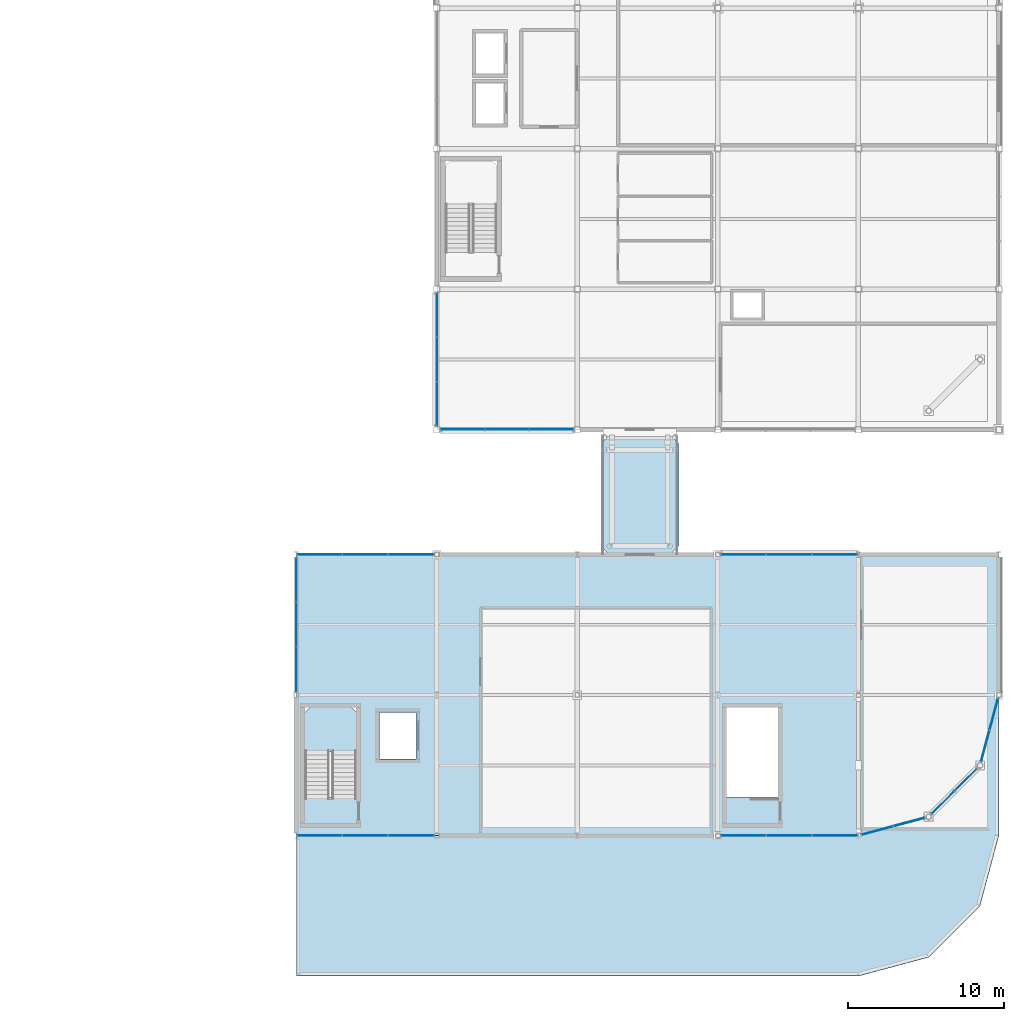
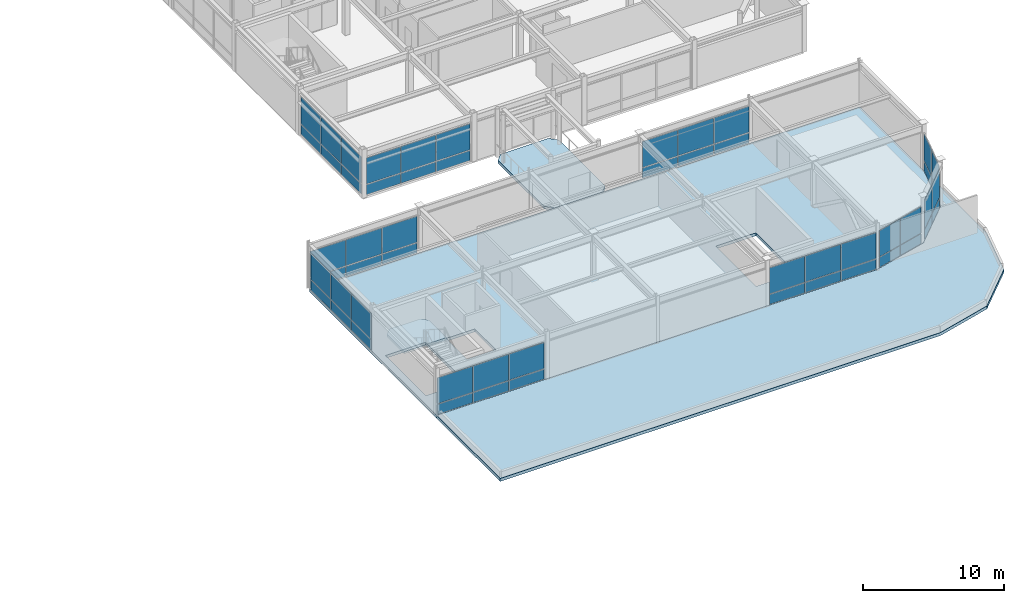
# One storey, part 42 of 70: 54 plates, 4 slabs, 11 elements without a shape of their own.
"""IFC4 building model written with IfcOpenShell, lengths in metres."""

import ifcopenshell
import ifcopenshell.guid

model = None  # the IFC model being written
_history = None  # IfcOwnerHistory: only IFC2X3 demands one
_inside = {}  # id of a spatial element -> (the spatial element, [elements in it])
_under = {}  # id of a project, library or spatial element -> (it, [spatial elements below it])
_declared = {}  # id of a project -> (the project, [libraries it declares])
_typed = {}  # id of a type object -> (the type object, [elements of that type])
_made_of = {}  # id of a material, layer set ... -> (it, [elements and type objects made of it])


def new_model(schema):
    """Start an empty IFC model of exactly this schema.

    Asked for "IFC4X3", IfcOpenShell would pick the latest addendum, in which some entities
    have other attributes; the version numbers below select the first issue.
    IFC2X3 requires an IfcOwnerHistory on every rooted entity: one is made here for all.
    """
    global model, _history
    if schema == "IFC4X3":
        model = ifcopenshell.file(schema_version=(4, 3, 0, 0))
    else:
        model = ifcopenshell.file(schema=schema)
    _inside.clear()
    _under.clear()
    _declared.clear()
    _typed.clear()
    _made_of.clear()
    _history = None
    if model.schema == "IFC2X3":
        org = make("IfcOrganization", Name="unknown")
        user = make(
            "IfcPersonAndOrganization",
            ThePerson=make("IfcPerson", FamilyName="unknown"),
            TheOrganization=org,
        )
        app = make(
            "IfcApplication",
            ApplicationDeveloper=org,
            Version="unknown",
            ApplicationFullName="unknown",
            ApplicationIdentifier="unknown",
        )
        _history = make(
            "IfcOwnerHistory",
            OwningUser=user,
            OwningApplication=app,
            ChangeAction="ADDED",
            CreationDate=0,
        )
    return model


def make(cls, **values):
    """One entity of the class cls with the attributes given. An attribute that is None is left unset."""
    return model.create_entity(
        cls, **{name: value for name, value in values.items() if value is not None}
    )


def rooted(cls, **values):
    """An entity with a GlobalId (a new one), such as an element, a storey or a relation."""
    return make(cls, GlobalId=ifcopenshell.guid.new(), OwnerHistory=_history, **values)


def si_unit(unit_type, name, prefix=None):
    """IfcSIUnit, for example si_unit("LENGTHUNIT", "METRE", prefix="MILLI")."""
    return make("IfcSIUnit", UnitType=unit_type, Prefix=prefix, Name=name)


def assignment(units):
    """IfcUnitAssignment: the units of a project."""
    return None if units is None else make("IfcUnitAssignment", Units=units)


def point(xyz):
    """IfcCartesianPoint."""
    return None if xyz is None else make("IfcCartesianPoint", Coordinates=xyz)


def direction(xyz):
    """IfcDirection."""
    return None if xyz is None else make("IfcDirection", DirectionRatios=xyz)


def frame(location, z_axis=None, x_axis=None):
    """IfcAxis2Placement3D, a coordinate frame: its origin and axes. An axis left out is left unset."""
    return make(
        "IfcAxis2Placement3D",
        Location=point(location),
        Axis=direction(z_axis),
        RefDirection=direction(x_axis),
    )


def frame_2d(location, x_axis=None):
    """IfcAxis2Placement2D, a coordinate frame in the plane: its origin and x axis."""
    return make(
        "IfcAxis2Placement2D", Location=point(location), RefDirection=direction(x_axis)
    )


def origin():
    """The frame at (0, 0, 0) with its axes left unset."""
    return frame((0.0, 0.0, 0.0))


def origin_2d():
    """The frame at (0, 0) in the plane with its x axis left unset."""
    return frame_2d((0.0, 0.0))


def place(relative_to, where):
    """IfcLocalPlacement: puts the frame where relative to a parent placement (None: the world)."""
    return make(
        "IfcLocalPlacement", PlacementRelTo=relative_to, RelativePlacement=where
    )


def context(
    kind, dimensions, precision=None, world=None, true_north=None, identifier=None
):
    """IfcGeometricRepresentationContext, for example the 3D "Model" context."""
    return make(
        "IfcGeometricRepresentationContext",
        ContextIdentifier=identifier,
        ContextType=kind,
        CoordinateSpaceDimension=dimensions,
        Precision=precision,
        WorldCoordinateSystem=world,
        TrueNorth=true_north,
    )


def subcontext(parent, identifier, kind, view, scale=None):
    """IfcGeometricRepresentationSubContext, for example "Body" below "Model"."""
    return make(
        "IfcGeometricRepresentationSubContext",
        ContextIdentifier=identifier,
        ContextType=kind,
        ParentContext=parent,
        TargetScale=scale,
        TargetView=view,
    )


def project(units=None, contexts=None):
    """IfcProject with its units and contexts."""
    return rooted(
        "IfcProject",
        Name="project",
        RepresentationContexts=contexts,
        UnitsInContext=assignment(units),
    )


def spatial(cls, under=None, at=None, **own):
    """A site, building, storey or space (cls), placed at a placement, below another one or the project."""
    s = rooted(cls, ObjectPlacement=at, **own)
    if under is not None:
        _under.setdefault(under.id(), (under, []))[1].append(s)
    return s


def polyline(points):
    """IfcPolyline through the points."""
    return make("IfcPolyline", Points=[point(p) for p in points])


def profile(cls, at=None, kind="AREA", **sizes):
    """A parametric profile (cls). Its sizes go by their IFC names, for example OverallWidth=200.0."""
    return make(cls, ProfileType=kind, Position=at, **sizes)


def rectangle(**sizes):
    """IfcRectangleProfileDef."""
    return profile("IfcRectangleProfileDef", **sizes)


def outline(outer, holes=None, kind="AREA"):
    """IfcArbitraryClosedProfileDef: a profile drawn as a closed curve; with holes, ...WithVoids."""
    if holes is None:
        return make("IfcArbitraryClosedProfileDef", ProfileType=kind, OuterCurve=outer)
    return make(
        "IfcArbitraryProfileDefWithVoids",
        ProfileType=kind,
        OuterCurve=outer,
        InnerCurves=holes,
    )


def extrude(swept, where, along, depth):
    """IfcExtrudedAreaSolid: the profile swept, set in the frame where, extruded along a direction by depth."""
    return make(
        "IfcExtrudedAreaSolid",
        SweptArea=swept,
        Position=where,
        ExtrudedDirection=direction(along),
        Depth=depth,
    )


def shape(context_of_items, identifier, shape_type, items):
    """IfcShapeRepresentation: the items that make up one representation, for example the "Body"."""
    return make(
        "IfcShapeRepresentation",
        ContextOfItems=context_of_items,
        RepresentationIdentifier=identifier,
        RepresentationType=shape_type,
        Items=items,
    )


def material(Name=None, Category=None):
    """IfcMaterial."""
    return make("IfcMaterial", Name=Name, Category=Category)


def layer(
    of_material, thickness, ventilated=None, Name=None, Category=None, Priority=None
):
    """IfcMaterialLayer: one layer of a wall or slab, of a material (None: an air gap)."""
    return make(
        "IfcMaterialLayer",
        Material=of_material,
        LayerThickness=thickness,
        IsVentilated=ventilated,
        Name=Name,
        Category=Category,
        Priority=Priority,
    )


def layer_set(layers, Name=None):
    """IfcMaterialLayerSet."""
    return make("IfcMaterialLayerSet", MaterialLayers=layers, LayerSetName=Name)


def made_of(thing, what):
    """Note that an element or type object is made of a material, layer set ...; save() writes the relation."""
    if what is not None:
        _made_of.setdefault(what.id(), (what, []))[1].append(thing)
    return thing


def type_object(cls, material=None, **own):
    """A type object (cls), such as IfcWallType, which elements share."""
    return made_of(rooted(cls, **own), material)


def element(
    cls,
    number,
    at=None,
    inside=None,
    cuts=None,
    type_object=None,
    material=None,
    context=None,
    identifier="Body",
    shape_type=None,
    held_by="IfcProductDefinitionShape",
    body=None,
    shapes=None,
    **own,
):
    """One element of the class cls, such as IfcWall. Its Tag is "e" and its number.

    at: its placement. inside: the storey or other place that contains it. cuts: it is an
    opening in that element (IfcRelVoidsElement). A single representation is given by context,
    identifier, shape_type and body (its items); several are given by shapes. held_by: the class
    of the entity that holds the representations. save() writes the other relations.
    """
    e = rooted(cls, Tag="e%d" % number, ObjectPlacement=at, **own)
    if body is not None:
        shapes = [shape(context, identifier, shape_type, body)]
    if shapes is not None:
        e.Representation = make(held_by, Representations=shapes)
    if inside is not None:
        _inside.setdefault(inside.id(), (inside, []))[1].append(e)
    if cuts is not None:
        rooted(
            "IfcRelVoidsElement", RelatingBuildingElement=cuts, RelatedOpeningElement=e
        )
    if type_object is not None:
        _typed.setdefault(type_object.id(), (type_object, []))[1].append(e)
    return made_of(e, material)


def aggregate(whole, parts):
    """IfcRelAggregates: a whole, such as a stair, and the parts it consists of."""
    return rooted("IfcRelAggregates", RelatingObject=whole, RelatedObjects=parts)


def save(model, path):
    """Write the relations noted so far, then the file.

    IfcRelAggregates (storeys below a building ...), IfcRelContainedInSpatialStructure (elements
    in a storey), IfcRelDefinesByType, IfcRelAssociatesMaterial and IfcRelDeclares: one each for
    every whole, place, type object, material and project.
    """
    for whole, parts in _under.values():
        aggregate(whole, parts)
    for where, things in _inside.values():
        rooted(
            "IfcRelContainedInSpatialStructure",
            RelatedElements=things,
            RelatingStructure=where,
        )
    for kind, things in _typed.values():
        rooted("IfcRelDefinesByType", RelatedObjects=things, RelatingType=kind)
    for what, things in _made_of.values():
        rooted("IfcRelAssociatesMaterial", RelatedObjects=things, RelatingMaterial=what)
    for by, libraries in _declared.values():
        rooted("IfcRelDeclares", RelatingContext=by, RelatedDefinitions=libraries)
    model.write(path)


model = new_model("IFC4")

# Units and contexts
model_context = context("Model", 3, precision=1e-05, world=origin(), true_north=direction((0.0, 1.0)))
body_context = subcontext(model_context, "Body", "Model", "MODEL_VIEW")
ifc_project = project(units=[si_unit("LENGTHUNIT", "METRE"), si_unit("AREAUNIT", "SQUARE_METRE"), si_unit("VOLUMEUNIT", "CUBIC_METRE"), si_unit("PLANEANGLEUNIT", "RADIAN"), si_unit("MASSUNIT", "GRAM", prefix="KILO")], contexts=[model_context])

# Site, building, storey
site_placement = place(None, origin())
site = spatial("IfcSite", under=ifc_project, at=site_placement, CompositionType="ELEMENT")
building_placement = place(site_placement, origin())
building = spatial("IfcBuilding", under=site, at=building_placement, Name="Suzunagisa Mobility Hub", CompositionType="ELEMENT")
storey_placement = place(building_placement, frame((0.0, 0.0, 13.5)))
storey = spatial("IfcBuildingStorey", under=building, at=storey_placement, Name="L03", CompositionType="ELEMENT", Elevation=13.5)

# Slabs
ifc_material_1 = material(Name="Concrete C35/45", Category="concrete")
ifc_layer_1 = layer(ifc_material_1, 0.25)
ifc_layer_set_1 = layer_set([ifc_layer_1], Name="Concrete C35/45")
slab_type_1 = type_object("IfcSlabType", Name="Composite Slab SL-13 250mm", PredefinedType="FLOOR", material=ifc_layer_set_1)
slab_1_placement = place(storey_placement, frame((0.0, 0.0, -0.25)))
element("IfcSlab", 1, at=slab_1_placement, inside=storey, type_object=slab_type_1, Name="L03 V6S Floor Slab", PredefinedType="FLOOR", context=body_context, shape_type="SweptSolid", body=[
    extrude(outline(polyline([(135.0, 18.0), (171.0, 18.0), (175.5, 19.205810546875), (178.794189453125, 22.5), (180.0, 27.0), (180.0, 36.0), (135.0, 36.0), (135.0, 18.0)]), holes=[polyline([(135.56005859375, 20.47998046875), (138.840087890625, 20.47998046875), (138.840087890625, 26.199951171875), (135.56005859375, 26.199951171875), (135.56005859375, 20.47998046875)]), polyline([(140.320068359375, 22.919921875), (142.679931640625, 22.919921875), (142.679931640625, 25.8798828125), (140.320068359375, 25.8798828125), (140.320068359375, 22.919921875)]), polyline([(162.56005859375, 20.47998046875), (165.840087890625, 20.47998046875), (165.840087890625, 26.199951171875), (162.56005859375, 26.199951171875), (162.56005859375, 20.47998046875)])]), origin(), (0.0, 0.0, 1.0), 0.25),
])
ifc_material_2 = material(Name="Concrete C30/37", Category="concrete")
ifc_layer_2 = layer(ifc_material_2, 0.239990234375)
ifc_layer_set_2 = layer_set([ifc_layer_2], Name="Concrete C30/37")
slab_type_2 = type_object("IfcSlabType", Name="Composite Slab SL-14 240mm", PredefinedType="FLOOR", material=ifc_layer_set_2)
slab_2_placement = place(storey_placement, frame((0.0, 0.0, -0.239990234375)))
element("IfcSlab", 2, at=slab_2_placement, inside=storey, type_object=slab_type_2, Name="L03 Bridge Deck SB-05", PredefinedType="FLOOR", context=body_context, shape_type="SweptSolid", body=[
    extrude(outline(polyline([(155.050048828125, 36.0), (158.949951171875, 36.0), (159.5, 36.550048828125), (159.5, 43.10009765625), (158.949951171875, 43.64990234375), (155.050048828125, 43.64990234375), (154.5, 43.10009765625), (154.5, 36.550048828125), (155.050048828125, 36.0)])), origin(), (0.0, 0.0, 1.0), 0.239990234375),
])
ifc_layer_3 = layer(ifc_material_2, 0.260009765625)
ifc_layer_set_3 = layer_set([ifc_layer_3], Name="Concrete C30/37")
slab_type_3 = type_object("IfcSlabType", Name="Composite Slab SL-17 260mm", PredefinedType="ROOF", material=ifc_layer_set_3)
slab_3_placement = place(storey_placement, frame((0.0, 0.0, -0.260009765625)))
element("IfcSlab", 3, at=slab_3_placement, inside=storey, type_object=slab_type_3, Name="L03 V6S Roof Slab", PredefinedType="ROOF", context=body_context, shape_type="SweptSolid", body=[
    extrude(outline(polyline([(135.0, 9.0), (171.0, 9.0), (175.5, 10.205810546875), (178.794189453125, 13.5), (180.0, 18.0), (180.0, 26.980712890625), (178.79833984375, 22.497314453125), (175.50341796875, 19.202392578125), (171.0009765625, 17.9951171875), (135.0, 17.9951171875), (135.0, 9.0)])), origin(), (0.0, 0.0, 1.0), 0.260009765625),
])

# Stair, slab
stair_type = type_object("IfcStairType", Name="Dog-Leg Core Escape Stair ST-09 W1560", PredefinedType="HALF_TURN_STAIR", material=ifc_material_1)
stair_placement = place(storey_placement, origin())
stair = element("IfcStair", 4, at=stair_placement, inside=storey, type_object=stair_type, Name="L03 Core C7 Escape Stair ST-09", PredefinedType="HALF_TURN_STAIR")
ifc_layer_4 = layer(ifc_material_1, 0.199951171875)
ifc_layer_set_4 = layer_set([ifc_layer_4], Name="Concrete C35/45")
slab_type_4 = type_object("IfcSlabType", Name="Core Stair Half-Landing Slab SL-SLND", PredefinedType="LANDING", material=ifc_layer_set_4)
slab_4_placement = place(storey_placement, frame((0.0, 0.0, 1.89990234375)))
slab_4 = element("IfcSlab", 5, at=slab_4_placement, type_object=slab_type_4, Name="ST-09 landing 1", PredefinedType="LANDING", context=body_context, shape_type="SweptSolid", body=[
    extrude(outline(polyline([(135.4599609375, 23.360107421875), (138.93994140625, 23.360107421875), (138.93994140625, 25.820068359375), (138.4599609375, 26.300048828125), (135.93994140625, 26.300048828125), (135.4599609375, 25.820068359375), (135.4599609375, 23.360107421875)])), origin(), (0.0, 0.0, 1.0), 0.2001953125),
])
aggregate(stair, [slab_4])

# Curtain wall, plates
ifc_material_3 = material(Name="Thermally Broken Anodized Aluminum and Low-E Glazing", Category="aluminium")
curtain_wall_type_1 = type_object("IfcCurtainWallType", Name="Unitised Curtain Wall CW-12 8750x3300", PredefinedType="USERDEFINED", material=ifc_material_3)
curtain_wall_1_placement = place(storey_placement, origin())
curtain_wall_1 = element("IfcCurtainWall", 6, at=curtain_wall_1_placement, inside=storey, type_object=curtain_wall_type_1, Name="L03 Unitised Curtain Wall CW-163", ObjectType="UNITISED CURTAIN WALL", PredefinedType="USERDEFINED")
ifc_material_4 = material(Name="Low-E Solar-Control Double Glazing", Category="glass")
ifc_layer_5 = layer(ifc_material_4, 0.028076171875)
ifc_layer_set_5 = layer_set([ifc_layer_5], Name="Low-E Solar-Control Double Glazing")
plate_type = type_object("IfcPlateType", Name="Low-E Double Glazed Curtain Panel GP-01 28mm", PredefinedType="CURTAIN_PANEL", material=ifc_layer_set_5)
plate_1_placement = place(storey_placement, frame((136.493896484375, 18.0, 0.06298828125), z_axis=(0.0, 0.0, 1.0), x_axis=(1.0, 0.0, 0.0)))
plate_1 = element("IfcPlate", 7, at=plate_1_placement, type_object=plate_type, Name="Curtain Wall Glazing Panel 163-P1.1", PredefinedType="CURTAIN_PANEL", context=body_context, shape_type="SweptSolid", body=[
    extrude(rectangle(XDim=2.862548828125, YDim=0.028076171875, at=origin_2d()), origin(), (0.0, 0.0, 1.0), 0.8564453125),
])
plate_2_placement = place(storey_placement, frame((136.493896484375, 18.0, 0.98046875), z_axis=(0.0, 0.0, 1.0), x_axis=(1.0, 0.0, 0.0)))
plate_2 = element("IfcPlate", 8, at=plate_2_placement, type_object=plate_type, Name="Curtain Wall Glazing Panel 163-P1.2", PredefinedType="CURTAIN_PANEL", context=body_context, shape_type="SweptSolid", body=[
    extrude(rectangle(XDim=2.862548828125, YDim=0.028076171875, at=origin_2d()), origin(), (0.0, 0.0, 1.0), 2.24658203125),
])
plate_3_placement = place(storey_placement, frame((139.42724609375, 18.0, 0.06298828125), z_axis=(0.0, 0.0, 1.0), x_axis=(1.0, 0.0, 0.0)))
plate_3 = element("IfcPlate", 9, at=plate_3_placement, type_object=plate_type, Name="Curtain Wall Glazing Panel 163-P2.1", PredefinedType="CURTAIN_PANEL", context=body_context, shape_type="SweptSolid", body=[
    extrude(rectangle(XDim=2.892578125, YDim=0.028076171875, at=origin_2d()), origin(), (0.0, 0.0, 1.0), 0.8564453125),
])
plate_4_placement = place(storey_placement, frame((139.42724609375, 18.0, 0.98046875), z_axis=(0.0, 0.0, 1.0), x_axis=(1.0, 0.0, 0.0)))
plate_4 = element("IfcPlate", 10, at=plate_4_placement, type_object=plate_type, Name="Curtain Wall Glazing Panel 163-P2.2", PredefinedType="CURTAIN_PANEL", context=body_context, shape_type="SweptSolid", body=[
    extrude(rectangle(XDim=2.892578125, YDim=0.028076171875, at=origin_2d()), origin(), (0.0, 0.0, 1.0), 2.24658203125),
])
plate_5_placement = place(storey_placement, frame((142.360595703125, 18.0, 0.06298828125), z_axis=(0.0, 0.0, 1.0), x_axis=(1.0, 0.0, 0.0)))
plate_5 = element("IfcPlate", 11, at=plate_5_placement, type_object=plate_type, Name="Curtain Wall Glazing Panel 163-P3.1", PredefinedType="CURTAIN_PANEL", context=body_context, shape_type="SweptSolid", body=[
    extrude(rectangle(XDim=2.862548828125, YDim=0.028076171875, at=origin_2d()), origin(), (0.0, 0.0, 1.0), 0.8564453125),
])
plate_6_placement = place(storey_placement, frame((142.360595703125, 18.0, 0.98046875), z_axis=(0.0, 0.0, 1.0), x_axis=(1.0, 0.0, 0.0)))
plate_6 = element("IfcPlate", 12, at=plate_6_placement, type_object=plate_type, Name="Curtain Wall Glazing Panel 163-P3.2", PredefinedType="CURTAIN_PANEL", context=body_context, shape_type="SweptSolid", body=[
    extrude(rectangle(XDim=2.862548828125, YDim=0.028076171875, at=origin_2d()), origin(), (0.0, 0.0, 1.0), 2.24658203125),
])
aggregate(curtain_wall_1, [plate_1, plate_2, plate_3, plate_4, plate_5, plate_6])

curtain_wall_2_placement = place(storey_placement, origin())
curtain_wall_2 = element("IfcCurtainWall", 13, at=curtain_wall_2_placement, inside=storey, type_object=curtain_wall_type_1, Name="L03 Unitised Curtain Wall CW-164", ObjectType="UNITISED CURTAIN WALL", PredefinedType="USERDEFINED")
plate_7_placement = place(storey_placement, frame((163.639404296875, 18.0, 0.06298828125), z_axis=(0.0, 0.0, 1.0), x_axis=(1.0, 0.0, 0.0)))
plate_7 = element("IfcPlate", 14, at=plate_7_placement, type_object=plate_type, Name="Curtain Wall Glazing Panel 164-P1.1", PredefinedType="CURTAIN_PANEL", context=body_context, shape_type="SweptSolid", body=[
    extrude(rectangle(XDim=2.862548828125, YDim=0.028076171875, at=origin_2d()), origin(), (0.0, 0.0, 1.0), 0.8564453125),
])
plate_8_placement = place(storey_placement, frame((163.639404296875, 18.0, 0.98046875), z_axis=(0.0, 0.0, 1.0), x_axis=(1.0, 0.0, 0.0)))
plate_8 = element("IfcPlate", 15, at=plate_8_placement, type_object=plate_type, Name="Curtain Wall Glazing Panel 164-P1.2", PredefinedType="CURTAIN_PANEL", context=body_context, shape_type="SweptSolid", body=[
    extrude(rectangle(XDim=2.862548828125, YDim=0.028076171875, at=origin_2d()), origin(), (0.0, 0.0, 1.0), 2.24658203125),
])
plate_9_placement = place(storey_placement, frame((166.57275390625, 18.0, 0.06298828125), z_axis=(0.0, 0.0, 1.0), x_axis=(1.0, 0.0, 0.0)))
plate_9 = element("IfcPlate", 16, at=plate_9_placement, type_object=plate_type, Name="Curtain Wall Glazing Panel 164-P2.1", PredefinedType="CURTAIN_PANEL", context=body_context, shape_type="SweptSolid", body=[
    extrude(rectangle(XDim=2.892578125, YDim=0.028076171875, at=origin_2d()), origin(), (0.0, 0.0, 1.0), 0.8564453125),
])
plate_10_placement = place(storey_placement, frame((166.57275390625, 18.0, 0.98046875), z_axis=(0.0, 0.0, 1.0), x_axis=(1.0, 0.0, 0.0)))
plate_10 = element("IfcPlate", 17, at=plate_10_placement, type_object=plate_type, Name="Curtain Wall Glazing Panel 164-P2.2", PredefinedType="CURTAIN_PANEL", context=body_context, shape_type="SweptSolid", body=[
    extrude(rectangle(XDim=2.892578125, YDim=0.028076171875, at=origin_2d()), origin(), (0.0, 0.0, 1.0), 2.24658203125),
])
plate_11_placement = place(storey_placement, frame((169.506103515625, 18.0, 0.06298828125), z_axis=(0.0, 0.0, 1.0), x_axis=(1.0, 0.0, 0.0)))
plate_11 = element("IfcPlate", 18, at=plate_11_placement, type_object=plate_type, Name="Curtain Wall Glazing Panel 164-P3.1", PredefinedType="CURTAIN_PANEL", context=body_context, shape_type="SweptSolid", body=[
    extrude(rectangle(XDim=2.862548828125, YDim=0.028076171875, at=origin_2d()), origin(), (0.0, 0.0, 1.0), 0.8564453125),
])
plate_12_placement = place(storey_placement, frame((169.506103515625, 18.0, 0.98046875), z_axis=(0.0, 0.0, 1.0), x_axis=(1.0, 0.0, 0.0)))
plate_12 = element("IfcPlate", 19, at=plate_12_placement, type_object=plate_type, Name="Curtain Wall Glazing Panel 164-P3.2", PredefinedType="CURTAIN_PANEL", context=body_context, shape_type="SweptSolid", body=[
    extrude(rectangle(XDim=2.862548828125, YDim=0.028076171875, at=origin_2d()), origin(), (0.0, 0.0, 1.0), 2.24658203125),
])
aggregate(curtain_wall_2, [plate_7, plate_8, plate_9, plate_10, plate_11, plate_12])

curtain_wall_type_2 = type_object("IfcCurtainWallType", Name="Unitised Curtain Wall CW-06 4250x3300", PredefinedType="USERDEFINED", material=ifc_material_3)
curtain_wall_3_placement = place(storey_placement, origin())
curtain_wall_3 = element("IfcCurtainWall", 20, at=curtain_wall_3_placement, inside=storey, type_object=curtain_wall_type_2, Name="L03 Unitised Curtain Wall CW-165", ObjectType="UNITISED CURTAIN WALL", PredefinedType="USERDEFINED")
plate_13_placement = place(storey_placement, frame((172.206298828125, 18.3232421875, 0.05810546875), z_axis=(0.0, 0.0, 1.0), x_axis=(0.965925296288, 0.258821023086, 0.0)))
plate_13 = element("IfcPlate", 21, at=plate_13_placement, type_object=plate_type, Name="Curtain Wall Glazing Panel 165-P1.1", PredefinedType="CURTAIN_PANEL", context=body_context, shape_type="SweptSolid", body=[
    extrude(rectangle(XDim=2.05224609375, YDim=0.028076171875, at=origin_2d()), origin(), (0.0, 0.0, 1.0), 0.864013671875),
])
plate_14_placement = place(storey_placement, frame((172.206298828125, 18.3232421875, 0.97802734375), z_axis=(0.0, 0.0, 1.0), x_axis=(0.965925296288, 0.258821023086, 0.0)))
plate_14 = element("IfcPlate", 22, at=plate_14_placement, type_object=plate_type, Name="Curtain Wall Glazing Panel 165-P1.2", PredefinedType="CURTAIN_PANEL", context=body_context, shape_type="SweptSolid", body=[
    extrude(rectangle(XDim=2.05224609375, YDim=0.028076171875, at=origin_2d()), origin(), (0.0, 0.0, 1.0), 2.25390625),
])
plate_15_placement = place(storey_placement, frame((174.24267578125, 18.868896484375, 0.05810546875), z_axis=(0.0, 0.0, 1.0), x_axis=(0.965925296288, 0.258821023086, 0.0)))
plate_15 = element("IfcPlate", 23, at=plate_15_placement, type_object=plate_type, Name="Curtain Wall Glazing Panel 165-P2.1", PredefinedType="CURTAIN_PANEL", context=body_context, shape_type="SweptSolid", body=[
    extrude(rectangle(XDim=2.052001953125, YDim=0.028076171875, at=origin_2d()), origin(), (0.0, 0.0, 1.0), 0.864013671875),
])
plate_16_placement = place(storey_placement, frame((174.24267578125, 18.868896484375, 0.97802734375), z_axis=(0.0, 0.0, 1.0), x_axis=(0.965925296288, 0.258821023086, 0.0)))
plate_16 = element("IfcPlate", 24, at=plate_16_placement, type_object=plate_type, Name="Curtain Wall Glazing Panel 165-P2.2", PredefinedType="CURTAIN_PANEL", context=body_context, shape_type="SweptSolid", body=[
    extrude(rectangle(XDim=2.052001953125, YDim=0.028076171875, at=origin_2d()), origin(), (0.0, 0.0, 1.0), 2.25390625),
])
aggregate(curtain_wall_3, [plate_13, plate_14, plate_15, plate_16])

curtain_wall_type_3 = type_object("IfcCurtainWallType", Name="Unitised Curtain Wall CW-24 4250x3500", PredefinedType="USERDEFINED", material=ifc_material_3)
curtain_wall_4_placement = place(storey_placement, origin())
curtain_wall_4 = element("IfcCurtainWall", 25, at=curtain_wall_4_placement, inside=storey, type_object=curtain_wall_type_3, Name="L03 Unitised Curtain Wall CW-166", ObjectType="UNITISED CURTAIN WALL", PredefinedType="USERDEFINED")
plate_17_placement = place(storey_placement, frame((176.423095703125, 20.12890625, 0.05810546875), z_axis=(0.0, 0.0, 1.0), x_axis=(0.707106781187, 0.707106781187, 0.0)))
plate_17 = element("IfcPlate", 26, at=plate_17_placement, type_object=plate_type, Name="Curtain Wall Glazing Panel 166-P1.1", PredefinedType="CURTAIN_PANEL", context=body_context, shape_type="SweptSolid", body=[
    extrude(rectangle(XDim=1.991943359375, YDim=0.028076171875, at=origin_2d()), origin(), (0.0, 0.0, 1.0), 0.864013671875),
])
plate_18_placement = place(storey_placement, frame((176.423095703125, 20.12890625, 0.97802734375), z_axis=(0.0, 0.0, 1.0), x_axis=(0.707106781187, 0.707106781187, 0.0)))
plate_18 = element("IfcPlate", 27, at=plate_18_placement, type_object=plate_type, Name="Curtain Wall Glazing Panel 166-P1.2", PredefinedType="CURTAIN_PANEL", context=body_context, shape_type="SweptSolid", body=[
    extrude(rectangle(XDim=1.991943359375, YDim=0.028076171875, at=origin_2d()), origin(), (0.0, 0.0, 1.0), 2.50390625),
])
plate_19_placement = place(storey_placement, frame((177.87109375, 21.576904296875, 0.05810546875), z_axis=(0.0, 0.0, 1.0), x_axis=(0.707106781187, 0.707106781187, 0.0)))
plate_19 = element("IfcPlate", 28, at=plate_19_placement, type_object=plate_type, Name="Curtain Wall Glazing Panel 166-P2.1", PredefinedType="CURTAIN_PANEL", context=body_context, shape_type="SweptSolid", body=[
    extrude(rectangle(XDim=1.991943359375, YDim=0.028076171875, at=origin_2d()), origin(), (0.0, 0.0, 1.0), 0.864013671875),
])
plate_20_placement = place(storey_placement, frame((177.87109375, 21.576904296875, 0.97802734375), z_axis=(0.0, 0.0, 1.0), x_axis=(0.707106781187, 0.707106781187, 0.0)))
plate_20 = element("IfcPlate", 29, at=plate_20_placement, type_object=plate_type, Name="Curtain Wall Glazing Panel 166-P2.2", PredefinedType="CURTAIN_PANEL", context=body_context, shape_type="SweptSolid", body=[
    extrude(rectangle(XDim=1.991943359375, YDim=0.028076171875, at=origin_2d()), origin(), (0.0, 0.0, 1.0), 2.50390625),
])
aggregate(curtain_wall_4, [plate_17, plate_18, plate_19, plate_20])

curtain_wall_5_placement = place(storey_placement, origin())
curtain_wall_5 = element("IfcCurtainWall", 30, at=curtain_wall_5_placement, inside=storey, type_object=curtain_wall_type_2, Name="L03 Unitised Curtain Wall CW-167", ObjectType="UNITISED CURTAIN WALL", PredefinedType="USERDEFINED")
plate_21_placement = place(storey_placement, frame((179.1298828125, 23.752685546875, 0.05810546875), z_axis=(0.0, 0.0, 1.0), x_axis=(0.258827664752, 0.96592351662, 0.0)))
plate_21 = element("IfcPlate", 31, at=plate_21_placement, type_object=plate_type, Name="Curtain Wall Glazing Panel 167-P1.1", PredefinedType="CURTAIN_PANEL", context=body_context, shape_type="SweptSolid", body=[
    extrude(rectangle(XDim=2.04248046875, YDim=0.028076171875, at=origin_2d()), origin(), (0.0, 0.0, 1.0), 0.864013671875),
])
plate_22_placement = place(storey_placement, frame((179.1298828125, 23.752685546875, 0.97802734375), z_axis=(0.0, 0.0, 1.0), x_axis=(0.258827664752, 0.96592351662, 0.0)))
plate_22 = element("IfcPlate", 32, at=plate_22_placement, type_object=plate_type, Name="Curtain Wall Glazing Panel 167-P1.2", PredefinedType="CURTAIN_PANEL", context=body_context, shape_type="SweptSolid", body=[
    extrude(rectangle(XDim=2.04248046875, YDim=0.028076171875, at=origin_2d()), origin(), (0.0, 0.0, 1.0), 2.303955078125),
])
plate_23_placement = place(storey_placement, frame((179.673095703125, 25.780029296875, 0.05810546875), z_axis=(0.0, 0.0, 1.0), x_axis=(0.258827664752, 0.96592351662, 0.0)))
plate_23 = element("IfcPlate", 33, at=plate_23_placement, type_object=plate_type, Name="Curtain Wall Glazing Panel 167-P2.1", PredefinedType="CURTAIN_PANEL", context=body_context, shape_type="SweptSolid", body=[
    extrude(rectangle(XDim=2.042724609375, YDim=0.028076171875, at=origin_2d()), origin(), (0.0, 0.0, 1.0), 0.864013671875),
])
plate_24_placement = place(storey_placement, frame((179.673095703125, 25.780029296875, 0.97802734375), z_axis=(0.0, 0.0, 1.0), x_axis=(0.258827664752, 0.96592351662, 0.0)))
plate_24 = element("IfcPlate", 34, at=plate_24_placement, type_object=plate_type, Name="Curtain Wall Glazing Panel 167-P2.2", PredefinedType="CURTAIN_PANEL", context=body_context, shape_type="SweptSolid", body=[
    extrude(rectangle(XDim=2.042724609375, YDim=0.028076171875, at=origin_2d()), origin(), (0.0, 0.0, 1.0), 2.303955078125),
])
aggregate(curtain_wall_5, [plate_21, plate_22, plate_23, plate_24])

curtain_wall_6_placement = place(storey_placement, origin())
curtain_wall_6 = element("IfcCurtainWall", 35, at=curtain_wall_6_placement, inside=storey, type_object=curtain_wall_type_1, Name="L03 Unitised Curtain Wall CW-168", ObjectType="UNITISED CURTAIN WALL", PredefinedType="USERDEFINED")
plate_25_placement = place(storey_placement, frame((169.506103515625, 36.0, 0.06298828125), z_axis=(0.0, 0.0, 1.0), x_axis=(-1.0, 0.0, 0.0)))
plate_25 = element("IfcPlate", 36, at=plate_25_placement, type_object=plate_type, Name="Curtain Wall Glazing Panel 168-P1.1", PredefinedType="CURTAIN_PANEL", context=body_context, shape_type="SweptSolid", body=[
    extrude(rectangle(XDim=2.862548828125, YDim=0.028076171875, at=origin_2d()), origin(), (0.0, 0.0, 1.0), 0.8564453125),
])
plate_26_placement = place(storey_placement, frame((169.506103515625, 36.0, 0.98046875), z_axis=(0.0, 0.0, 1.0), x_axis=(-1.0, 0.0, 0.0)))
plate_26 = element("IfcPlate", 37, at=plate_26_placement, type_object=plate_type, Name="Curtain Wall Glazing Panel 168-P1.2", PredefinedType="CURTAIN_PANEL", context=body_context, shape_type="SweptSolid", body=[
    extrude(rectangle(XDim=2.862548828125, YDim=0.028076171875, at=origin_2d()), origin(), (0.0, 0.0, 1.0), 2.24658203125),
])
plate_27_placement = place(storey_placement, frame((166.57275390625, 36.0, 0.06298828125), z_axis=(0.0, 0.0, 1.0), x_axis=(-1.0, 0.0, 0.0)))
plate_27 = element("IfcPlate", 38, at=plate_27_placement, type_object=plate_type, Name="Curtain Wall Glazing Panel 168-P2.1", PredefinedType="CURTAIN_PANEL", context=body_context, shape_type="SweptSolid", body=[
    extrude(rectangle(XDim=2.892578125, YDim=0.028076171875, at=origin_2d()), origin(), (0.0, 0.0, 1.0), 0.8564453125),
])
plate_28_placement = place(storey_placement, frame((166.57275390625, 36.0, 0.98046875), z_axis=(0.0, 0.0, 1.0), x_axis=(-1.0, 0.0, 0.0)))
plate_28 = element("IfcPlate", 39, at=plate_28_placement, type_object=plate_type, Name="Curtain Wall Glazing Panel 168-P2.2", PredefinedType="CURTAIN_PANEL", context=body_context, shape_type="SweptSolid", body=[
    extrude(rectangle(XDim=2.892578125, YDim=0.028076171875, at=origin_2d()), origin(), (0.0, 0.0, 1.0), 2.24658203125),
])
plate_29_placement = place(storey_placement, frame((163.639404296875, 36.0, 0.06298828125), z_axis=(0.0, 0.0, 1.0), x_axis=(-1.0, 0.0, 0.0)))
plate_29 = element("IfcPlate", 40, at=plate_29_placement, type_object=plate_type, Name="Curtain Wall Glazing Panel 168-P3.1", PredefinedType="CURTAIN_PANEL", context=body_context, shape_type="SweptSolid", body=[
    extrude(rectangle(XDim=2.862548828125, YDim=0.028076171875, at=origin_2d()), origin(), (0.0, 0.0, 1.0), 0.8564453125),
])
plate_30_placement = place(storey_placement, frame((163.639404296875, 36.0, 0.98046875), z_axis=(0.0, 0.0, 1.0), x_axis=(-1.0, 0.0, 0.0)))
plate_30 = element("IfcPlate", 41, at=plate_30_placement, type_object=plate_type, Name="Curtain Wall Glazing Panel 168-P3.2", PredefinedType="CURTAIN_PANEL", context=body_context, shape_type="SweptSolid", body=[
    extrude(rectangle(XDim=2.862548828125, YDim=0.028076171875, at=origin_2d()), origin(), (0.0, 0.0, 1.0), 2.24658203125),
])
aggregate(curtain_wall_6, [plate_25, plate_26, plate_27, plate_28, plate_29, plate_30])

curtain_wall_7_placement = place(storey_placement, origin())
curtain_wall_7 = element("IfcCurtainWall", 42, at=curtain_wall_7_placement, inside=storey, type_object=curtain_wall_type_1, Name="L03 Unitised Curtain Wall CW-169", ObjectType="UNITISED CURTAIN WALL", PredefinedType="USERDEFINED")
plate_31_placement = place(storey_placement, frame((142.360595703125, 36.0, 0.06298828125), z_axis=(0.0, 0.0, 1.0), x_axis=(-1.0, 0.0, 0.0)))
plate_31 = element("IfcPlate", 43, at=plate_31_placement, type_object=plate_type, Name="Curtain Wall Glazing Panel 169-P1.1", PredefinedType="CURTAIN_PANEL", context=body_context, shape_type="SweptSolid", body=[
    extrude(rectangle(XDim=2.862548828125, YDim=0.028076171875, at=origin_2d()), origin(), (0.0, 0.0, 1.0), 0.8564453125),
])
plate_32_placement = place(storey_placement, frame((142.360595703125, 36.0, 0.98046875), z_axis=(0.0, 0.0, 1.0), x_axis=(-1.0, 0.0, 0.0)))
plate_32 = element("IfcPlate", 44, at=plate_32_placement, type_object=plate_type, Name="Curtain Wall Glazing Panel 169-P1.2", PredefinedType="CURTAIN_PANEL", context=body_context, shape_type="SweptSolid", body=[
    extrude(rectangle(XDim=2.862548828125, YDim=0.028076171875, at=origin_2d()), origin(), (0.0, 0.0, 1.0), 2.24658203125),
])
plate_33_placement = place(storey_placement, frame((139.42724609375, 36.0, 0.06298828125), z_axis=(0.0, 0.0, 1.0), x_axis=(-1.0, 0.0, 0.0)))
plate_33 = element("IfcPlate", 45, at=plate_33_placement, type_object=plate_type, Name="Curtain Wall Glazing Panel 169-P2.1", PredefinedType="CURTAIN_PANEL", context=body_context, shape_type="SweptSolid", body=[
    extrude(rectangle(XDim=2.892578125, YDim=0.028076171875, at=origin_2d()), origin(), (0.0, 0.0, 1.0), 0.8564453125),
])
plate_34_placement = place(storey_placement, frame((139.42724609375, 36.0, 0.98046875), z_axis=(0.0, 0.0, 1.0), x_axis=(-1.0, 0.0, 0.0)))
plate_34 = element("IfcPlate", 46, at=plate_34_placement, type_object=plate_type, Name="Curtain Wall Glazing Panel 169-P2.2", PredefinedType="CURTAIN_PANEL", context=body_context, shape_type="SweptSolid", body=[
    extrude(rectangle(XDim=2.892578125, YDim=0.028076171875, at=origin_2d()), origin(), (0.0, 0.0, 1.0), 2.24658203125),
])
plate_35_placement = place(storey_placement, frame((136.493896484375, 36.0, 0.06298828125), z_axis=(0.0, 0.0, 1.0), x_axis=(-1.0, 0.0, 0.0)))
plate_35 = element("IfcPlate", 47, at=plate_35_placement, type_object=plate_type, Name="Curtain Wall Glazing Panel 169-P3.1", PredefinedType="CURTAIN_PANEL", context=body_context, shape_type="SweptSolid", body=[
    extrude(rectangle(XDim=2.862548828125, YDim=0.028076171875, at=origin_2d()), origin(), (0.0, 0.0, 1.0), 0.8564453125),
])
plate_36_placement = place(storey_placement, frame((136.493896484375, 36.0, 0.98046875), z_axis=(0.0, 0.0, 1.0), x_axis=(-1.0, 0.0, 0.0)))
plate_36 = element("IfcPlate", 48, at=plate_36_placement, type_object=plate_type, Name="Curtain Wall Glazing Panel 169-P3.2", PredefinedType="CURTAIN_PANEL", context=body_context, shape_type="SweptSolid", body=[
    extrude(rectangle(XDim=2.862548828125, YDim=0.028076171875, at=origin_2d()), origin(), (0.0, 0.0, 1.0), 2.24658203125),
])
aggregate(curtain_wall_7, [plate_31, plate_32, plate_33, plate_34, plate_35, plate_36])

curtain_wall_8_placement = place(storey_placement, origin())
curtain_wall_8 = element("IfcCurtainWall", 49, at=curtain_wall_8_placement, inside=storey, type_object=curtain_wall_type_1, Name="L03 Unitised Curtain Wall CW-170", ObjectType="UNITISED CURTAIN WALL", PredefinedType="USERDEFINED")
plate_37_placement = place(storey_placement, frame((135.0, 34.368408203125, 0.06298828125), z_axis=(0.0, 0.0, 1.0), x_axis=(0.0, -1.0, 0.0)))
plate_37 = element("IfcPlate", 50, at=plate_37_placement, type_object=plate_type, Name="Curtain Wall Glazing Panel 170-P1.1", PredefinedType="CURTAIN_PANEL", context=body_context, shape_type="SweptSolid", body=[
    extrude(rectangle(XDim=2.807373046875, YDim=0.028076171875, at=origin_2d()), origin(), (0.0, 0.0, 1.0), 0.8564453125),
])
plate_38_placement = place(storey_placement, frame((135.0, 34.368408203125, 0.98046875), z_axis=(0.0, 0.0, 1.0), x_axis=(0.0, -1.0, 0.0)))
plate_38 = element("IfcPlate", 51, at=plate_38_placement, type_object=plate_type, Name="Curtain Wall Glazing Panel 170-P1.2", PredefinedType="CURTAIN_PANEL", context=body_context, shape_type="SweptSolid", body=[
    extrude(rectangle(XDim=2.807373046875, YDim=0.028076171875, at=origin_2d()), origin(), (0.0, 0.0, 1.0), 2.24658203125),
])
plate_39_placement = place(storey_placement, frame((135.0, 31.489990234375, 0.06298828125), z_axis=(0.0, 0.0, 1.0), x_axis=(0.0, -1.0, 0.0)))
plate_39 = element("IfcPlate", 52, at=plate_39_placement, type_object=plate_type, Name="Curtain Wall Glazing Panel 170-P2.1", PredefinedType="CURTAIN_PANEL", context=body_context, shape_type="SweptSolid", body=[
    extrude(rectangle(XDim=2.83740234375, YDim=0.028076171875, at=origin_2d()), origin(), (0.0, 0.0, 1.0), 0.8564453125),
])
plate_40_placement = place(storey_placement, frame((135.0, 31.489990234375, 0.98046875), z_axis=(0.0, 0.0, 1.0), x_axis=(0.0, -1.0, 0.0)))
plate_40 = element("IfcPlate", 53, at=plate_40_placement, type_object=plate_type, Name="Curtain Wall Glazing Panel 170-P2.2", PredefinedType="CURTAIN_PANEL", context=body_context, shape_type="SweptSolid", body=[
    extrude(rectangle(XDim=2.83740234375, YDim=0.028076171875, at=origin_2d()), origin(), (0.0, 0.0, 1.0), 2.24658203125),
])
plate_41_placement = place(storey_placement, frame((135.0, 28.611572265625, 0.06298828125), z_axis=(0.0, 0.0, 1.0), x_axis=(0.0, -1.0, 0.0)))
plate_41 = element("IfcPlate", 54, at=plate_41_placement, type_object=plate_type, Name="Curtain Wall Glazing Panel 170-P3.1", PredefinedType="CURTAIN_PANEL", context=body_context, shape_type="SweptSolid", body=[
    extrude(rectangle(XDim=2.807373046875, YDim=0.028076171875, at=origin_2d()), origin(), (0.0, 0.0, 1.0), 0.8564453125),
])
plate_42_placement = place(storey_placement, frame((135.0, 28.611572265625, 0.98046875), z_axis=(0.0, 0.0, 1.0), x_axis=(0.0, -1.0, 0.0)))
plate_42 = element("IfcPlate", 55, at=plate_42_placement, type_object=plate_type, Name="Curtain Wall Glazing Panel 170-P3.2", PredefinedType="CURTAIN_PANEL", context=body_context, shape_type="SweptSolid", body=[
    extrude(rectangle(XDim=2.807373046875, YDim=0.028076171875, at=origin_2d()), origin(), (0.0, 0.0, 1.0), 2.24658203125),
])
aggregate(curtain_wall_8, [plate_37, plate_38, plate_39, plate_40, plate_41, plate_42])

curtain_wall_type_4 = type_object("IfcCurtainWallType", Name="Unitised Curtain Wall CW-43 8500x3300", PredefinedType="USERDEFINED", material=ifc_material_3)
curtain_wall_9_placement = place(storey_placement, origin())
curtain_wall_9 = element("IfcCurtainWall", 56, at=curtain_wall_9_placement, inside=storey, type_object=curtain_wall_type_4, Name="L03 Unitised Curtain Wall CW-204", ObjectType="UNITISED CURTAIN WALL", PredefinedType="USERDEFINED")
plate_43_placement = place(storey_placement, frame((145.648193359375, 44.0, 0.06298828125), z_axis=(0.0, 0.0, 1.0), x_axis=(1.0, 0.0, 0.0)))
plate_43 = element("IfcPlate", 57, at=plate_43_placement, type_object=plate_type, Name="Curtain Wall Glazing Panel 204-P1.1", PredefinedType="CURTAIN_PANEL", context=body_context, shape_type="SweptSolid", body=[
    extrude(rectangle(XDim=2.78076171875, YDim=0.028076171875, at=origin_2d()), origin(), (0.0, 0.0, 1.0), 0.8564453125),
])
plate_44_placement = place(storey_placement, frame((145.648193359375, 44.0, 0.98046875), z_axis=(0.0, 0.0, 1.0), x_axis=(1.0, 0.0, 0.0)))
plate_44 = element("IfcPlate", 58, at=plate_44_placement, type_object=plate_type, Name="Curtain Wall Glazing Panel 204-P1.2", PredefinedType="CURTAIN_PANEL", context=body_context, shape_type="SweptSolid", body=[
    extrude(rectangle(XDim=2.78076171875, YDim=0.028076171875, at=origin_2d()), origin(), (0.0, 0.0, 1.0), 2.256591796875),
])
plate_45_placement = place(storey_placement, frame((148.5, 44.0, 0.06298828125), z_axis=(0.0, 0.0, 1.0), x_axis=(1.0, 0.0, 0.0)))
plate_45 = element("IfcPlate", 59, at=plate_45_placement, type_object=plate_type, Name="Curtain Wall Glazing Panel 204-P2.1", PredefinedType="CURTAIN_PANEL", context=body_context, shape_type="SweptSolid", body=[
    extrude(rectangle(XDim=2.810546875, YDim=0.028076171875, at=origin_2d()), origin(), (0.0, 0.0, 1.0), 0.8564453125),
])
plate_46_placement = place(storey_placement, frame((148.5, 44.0, 0.98046875), z_axis=(0.0, 0.0, 1.0), x_axis=(1.0, 0.0, 0.0)))
plate_46 = element("IfcPlate", 60, at=plate_46_placement, type_object=plate_type, Name="Curtain Wall Glazing Panel 204-P2.2", PredefinedType="CURTAIN_PANEL", context=body_context, shape_type="SweptSolid", body=[
    extrude(rectangle(XDim=2.810546875, YDim=0.028076171875, at=origin_2d()), origin(), (0.0, 0.0, 1.0), 2.256591796875),
])
plate_47_placement = place(storey_placement, frame((151.3515625, 44.0, 0.06298828125), z_axis=(0.0, 0.0, 1.0), x_axis=(1.0, 0.0, 0.0)))
plate_47 = element("IfcPlate", 61, at=plate_47_placement, type_object=plate_type, Name="Curtain Wall Glazing Panel 204-P3.1", PredefinedType="CURTAIN_PANEL", context=body_context, shape_type="SweptSolid", body=[
    extrude(rectangle(XDim=2.78076171875, YDim=0.028076171875, at=origin_2d()), origin(), (0.0, 0.0, 1.0), 0.8564453125),
])
plate_48_placement = place(storey_placement, frame((151.3515625, 44.0, 0.98046875), z_axis=(0.0, 0.0, 1.0), x_axis=(1.0, 0.0, 0.0)))
plate_48 = element("IfcPlate", 62, at=plate_48_placement, type_object=plate_type, Name="Curtain Wall Glazing Panel 204-P3.2", PredefinedType="CURTAIN_PANEL", context=body_context, shape_type="SweptSolid", body=[
    extrude(rectangle(XDim=2.78076171875, YDim=0.028076171875, at=origin_2d()), origin(), (0.0, 0.0, 1.0), 2.256591796875),
])
aggregate(curtain_wall_9, [plate_43, plate_44, plate_45, plate_46, plate_47, plate_48])

curtain_wall_type_5 = type_object("IfcCurtainWallType", Name="Unitised Curtain Wall CW-29 8500x3400", PredefinedType="USERDEFINED", material=ifc_material_3)
curtain_wall_10_placement = place(storey_placement, origin())
curtain_wall_10 = element("IfcCurtainWall", 63, at=curtain_wall_10_placement, inside=storey, type_object=curtain_wall_type_5, Name="L03 Unitised Curtain Wall CW-213", ObjectType="UNITISED CURTAIN WALL", PredefinedType="USERDEFINED")
plate_49_placement = place(storey_placement, frame((144.0, 51.3515625, 0.06298828125), z_axis=(0.0, 0.0, 1.0), x_axis=(0.0, -1.0, 0.0)))
plate_49 = element("IfcPlate", 64, at=plate_49_placement, type_object=plate_type, Name="Curtain Wall Glazing Panel 213-P1.1", PredefinedType="CURTAIN_PANEL", context=body_context, shape_type="SweptSolid", body=[
    extrude(rectangle(XDim=2.78076171875, YDim=0.028076171875, at=origin_2d()), origin(), (0.0, 0.0, 1.0), 0.8564453125),
])
plate_50_placement = place(storey_placement, frame((144.0, 51.3515625, 0.98046875), z_axis=(0.0, 0.0, 1.0), x_axis=(0.0, -1.0, 0.0)))
plate_50 = element("IfcPlate", 65, at=plate_50_placement, type_object=plate_type, Name="Curtain Wall Glazing Panel 213-P1.2", PredefinedType="CURTAIN_PANEL", context=body_context, shape_type="SweptSolid", body=[
    extrude(rectangle(XDim=2.78076171875, YDim=0.028076171875, at=origin_2d()), origin(), (0.0, 0.0, 1.0), 2.318603515625),
])
plate_51_placement = place(storey_placement, frame((144.0, 48.5, 0.06298828125), z_axis=(0.0, 0.0, 1.0), x_axis=(0.0, -1.0, 0.0)))
plate_51 = element("IfcPlate", 66, at=plate_51_placement, type_object=plate_type, Name="Curtain Wall Glazing Panel 213-P2.1", PredefinedType="CURTAIN_PANEL", context=body_context, shape_type="SweptSolid", body=[
    extrude(rectangle(XDim=2.810546875, YDim=0.028076171875, at=origin_2d()), origin(), (0.0, 0.0, 1.0), 0.8564453125),
])
plate_52_placement = place(storey_placement, frame((144.0, 48.5, 0.98046875), z_axis=(0.0, 0.0, 1.0), x_axis=(0.0, -1.0, 0.0)))
plate_52 = element("IfcPlate", 67, at=plate_52_placement, type_object=plate_type, Name="Curtain Wall Glazing Panel 213-P2.2", PredefinedType="CURTAIN_PANEL", context=body_context, shape_type="SweptSolid", body=[
    extrude(rectangle(XDim=2.810546875, YDim=0.028076171875, at=origin_2d()), origin(), (0.0, 0.0, 1.0), 2.318603515625),
])
plate_53_placement = place(storey_placement, frame((144.0, 45.648193359375, 0.06298828125), z_axis=(0.0, 0.0, 1.0), x_axis=(0.0, -1.0, 0.0)))
plate_53 = element("IfcPlate", 68, at=plate_53_placement, type_object=plate_type, Name="Curtain Wall Glazing Panel 213-P3.1", PredefinedType="CURTAIN_PANEL", context=body_context, shape_type="SweptSolid", body=[
    extrude(rectangle(XDim=2.78076171875, YDim=0.028076171875, at=origin_2d()), origin(), (0.0, 0.0, 1.0), 0.8564453125),
])
plate_54_placement = place(storey_placement, frame((144.0, 45.648193359375, 0.98046875), z_axis=(0.0, 0.0, 1.0), x_axis=(0.0, -1.0, 0.0)))
plate_54 = element("IfcPlate", 69, at=plate_54_placement, type_object=plate_type, Name="Curtain Wall Glazing Panel 213-P3.2", PredefinedType="CURTAIN_PANEL", context=body_context, shape_type="SweptSolid", body=[
    extrude(rectangle(XDim=2.78076171875, YDim=0.028076171875, at=origin_2d()), origin(), (0.0, 0.0, 1.0), 2.318603515625),
])
aggregate(curtain_wall_10, [plate_49, plate_50, plate_51, plate_52, plate_53, plate_54])

save(model, "model.ifc")
